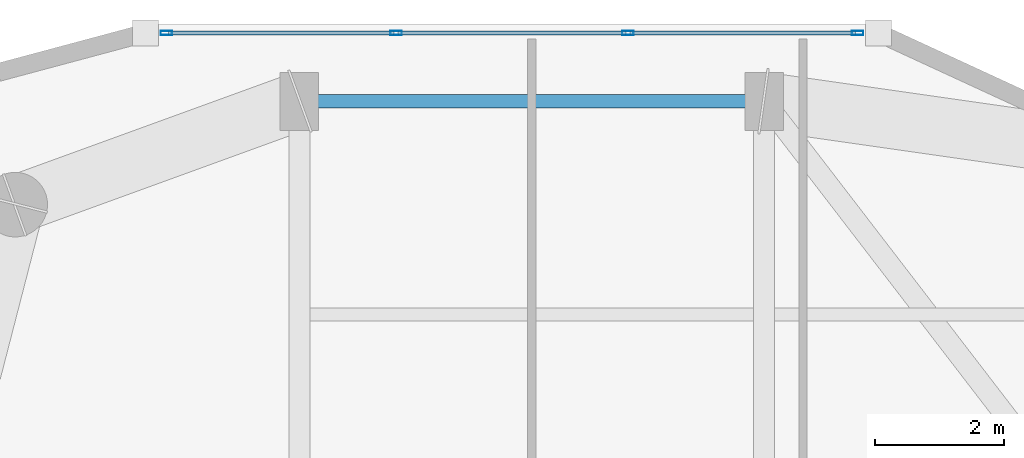
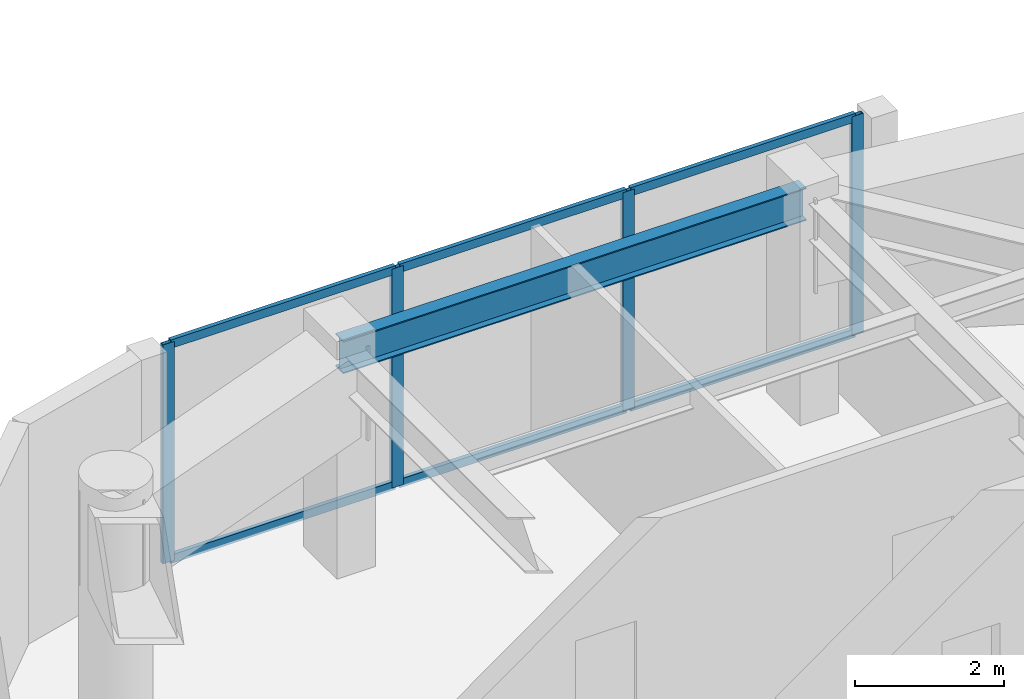
# One storey, part 6 of 15: 10 members, 1 beam, 1 element without a shape of its own.
"""IFC4 building model written with IfcOpenShell, lengths in metres."""

import ifcopenshell
import ifcopenshell.guid

model = None  # the IFC model being written
_history = None  # IfcOwnerHistory: only IFC2X3 demands one
_inside = {}  # id of a spatial element -> (the spatial element, [elements in it])
_under = {}  # id of a project, library or spatial element -> (it, [spatial elements below it])
_declared = {}  # id of a project -> (the project, [libraries it declares])
_typed = {}  # id of a type object -> (the type object, [elements of that type])
_made_of = {}  # id of a material, layer set ... -> (it, [elements and type objects made of it])


def new_model(schema):
    """Start an empty IFC model of exactly this schema.

    Asked for "IFC4X3", IfcOpenShell would pick the latest addendum, in which some entities
    have other attributes; the version numbers below select the first issue.
    IFC2X3 requires an IfcOwnerHistory on every rooted entity: one is made here for all.
    """
    global model, _history
    if schema == "IFC4X3":
        model = ifcopenshell.file(schema_version=(4, 3, 0, 0))
    else:
        model = ifcopenshell.file(schema=schema)
    _inside.clear()
    _under.clear()
    _declared.clear()
    _typed.clear()
    _made_of.clear()
    _history = None
    if model.schema == "IFC2X3":
        org = make("IfcOrganization", Name="unknown")
        user = make(
            "IfcPersonAndOrganization",
            ThePerson=make("IfcPerson", FamilyName="unknown"),
            TheOrganization=org,
        )
        app = make(
            "IfcApplication",
            ApplicationDeveloper=org,
            Version="unknown",
            ApplicationFullName="unknown",
            ApplicationIdentifier="unknown",
        )
        _history = make(
            "IfcOwnerHistory",
            OwningUser=user,
            OwningApplication=app,
            ChangeAction="ADDED",
            CreationDate=0,
        )
    return model


def make(cls, **values):
    """One entity of the class cls with the attributes given. An attribute that is None is left unset."""
    return model.create_entity(
        cls, **{name: value for name, value in values.items() if value is not None}
    )


def rooted(cls, **values):
    """An entity with a GlobalId (a new one), such as an element, a storey or a relation."""
    return make(cls, GlobalId=ifcopenshell.guid.new(), OwnerHistory=_history, **values)


def si_unit(unit_type, name, prefix=None):
    """IfcSIUnit, for example si_unit("LENGTHUNIT", "METRE", prefix="MILLI")."""
    return make("IfcSIUnit", UnitType=unit_type, Prefix=prefix, Name=name)


def assignment(units):
    """IfcUnitAssignment: the units of a project."""
    return None if units is None else make("IfcUnitAssignment", Units=units)


def point(xyz):
    """IfcCartesianPoint."""
    return None if xyz is None else make("IfcCartesianPoint", Coordinates=xyz)


def direction(xyz):
    """IfcDirection."""
    return None if xyz is None else make("IfcDirection", DirectionRatios=xyz)


def frame(location, z_axis=None, x_axis=None):
    """IfcAxis2Placement3D, a coordinate frame: its origin and axes. An axis left out is left unset."""
    return make(
        "IfcAxis2Placement3D",
        Location=point(location),
        Axis=direction(z_axis),
        RefDirection=direction(x_axis),
    )


def frame_2d(location, x_axis=None):
    """IfcAxis2Placement2D, a coordinate frame in the plane: its origin and x axis."""
    return make(
        "IfcAxis2Placement2D", Location=point(location), RefDirection=direction(x_axis)
    )


def origin():
    """The frame at (0, 0, 0) with its axes left unset."""
    return frame((0.0, 0.0, 0.0))


def origin_2d():
    """The frame at (0, 0) in the plane with its x axis left unset."""
    return frame_2d((0.0, 0.0))


def place(relative_to, where):
    """IfcLocalPlacement: puts the frame where relative to a parent placement (None: the world)."""
    return make(
        "IfcLocalPlacement", PlacementRelTo=relative_to, RelativePlacement=where
    )


def context(
    kind, dimensions, precision=None, world=None, true_north=None, identifier=None
):
    """IfcGeometricRepresentationContext, for example the 3D "Model" context."""
    return make(
        "IfcGeometricRepresentationContext",
        ContextIdentifier=identifier,
        ContextType=kind,
        CoordinateSpaceDimension=dimensions,
        Precision=precision,
        WorldCoordinateSystem=world,
        TrueNorth=true_north,
    )


def subcontext(parent, identifier, kind, view, scale=None):
    """IfcGeometricRepresentationSubContext, for example "Body" below "Model"."""
    return make(
        "IfcGeometricRepresentationSubContext",
        ContextIdentifier=identifier,
        ContextType=kind,
        ParentContext=parent,
        TargetScale=scale,
        TargetView=view,
    )


def project(units=None, contexts=None):
    """IfcProject with its units and contexts."""
    return rooted(
        "IfcProject",
        Name="project",
        RepresentationContexts=contexts,
        UnitsInContext=assignment(units),
    )


def spatial(cls, under=None, at=None, **own):
    """A site, building, storey or space (cls), placed at a placement, below another one or the project."""
    s = rooted(cls, ObjectPlacement=at, **own)
    if under is not None:
        _under.setdefault(under.id(), (under, []))[1].append(s)
    return s


def profile(cls, at=None, kind="AREA", **sizes):
    """A parametric profile (cls). Its sizes go by their IFC names, for example OverallWidth=200.0."""
    return make(cls, ProfileType=kind, Position=at, **sizes)


def hollow_rectangle(**sizes):
    """IfcRectangleHollowProfileDef."""
    return profile("IfcRectangleHollowProfileDef", **sizes)


def i_section(**sizes):
    """IfcIShapeProfileDef."""
    return profile("IfcIShapeProfileDef", **sizes)


def extrude(swept, where, along, depth):
    """IfcExtrudedAreaSolid: the profile swept, set in the frame where, extruded along a direction by depth."""
    return make(
        "IfcExtrudedAreaSolid",
        SweptArea=swept,
        Position=where,
        ExtrudedDirection=direction(along),
        Depth=depth,
    )


def shape(context_of_items, identifier, shape_type, items):
    """IfcShapeRepresentation: the items that make up one representation, for example the "Body"."""
    return make(
        "IfcShapeRepresentation",
        ContextOfItems=context_of_items,
        RepresentationIdentifier=identifier,
        RepresentationType=shape_type,
        Items=items,
    )


def material(Name=None, Category=None):
    """IfcMaterial."""
    return make("IfcMaterial", Name=Name, Category=Category)


def layer(
    of_material, thickness, ventilated=None, Name=None, Category=None, Priority=None
):
    """IfcMaterialLayer: one layer of a wall or slab, of a material (None: an air gap)."""
    return make(
        "IfcMaterialLayer",
        Material=of_material,
        LayerThickness=thickness,
        IsVentilated=ventilated,
        Name=Name,
        Category=Category,
        Priority=Priority,
    )


def layer_set(layers, Name=None):
    """IfcMaterialLayerSet."""
    return make("IfcMaterialLayerSet", MaterialLayers=layers, LayerSetName=Name)


def material_profile(
    of_material, cross_section, Name=None, Category=None, Priority=None
):
    """IfcMaterialProfile: a cross section and its material."""
    return make(
        "IfcMaterialProfile",
        Name=Name,
        Material=of_material,
        Profile=cross_section,
        Priority=Priority,
        Category=Category,
    )


def profile_set(profiles, Name=None, composite=None):
    """IfcMaterialProfileSet."""
    return make(
        "IfcMaterialProfileSet",
        Name=Name,
        MaterialProfiles=profiles,
        CompositeProfile=composite,
    )


def made_of(thing, what):
    """Note that an element or type object is made of a material, layer set ...; save() writes the relation."""
    if what is not None:
        _made_of.setdefault(what.id(), (what, []))[1].append(thing)
    return thing


def type_object(cls, material=None, **own):
    """A type object (cls), such as IfcWallType, which elements share."""
    return made_of(rooted(cls, **own), material)


def element(
    cls,
    number,
    at=None,
    inside=None,
    cuts=None,
    type_object=None,
    material=None,
    context=None,
    identifier="Body",
    shape_type=None,
    held_by="IfcProductDefinitionShape",
    body=None,
    shapes=None,
    **own,
):
    """One element of the class cls, such as IfcWall. Its Tag is "e" and its number.

    at: its placement. inside: the storey or other place that contains it. cuts: it is an
    opening in that element (IfcRelVoidsElement). A single representation is given by context,
    identifier, shape_type and body (its items); several are given by shapes. held_by: the class
    of the entity that holds the representations. save() writes the other relations.
    """
    e = rooted(cls, Tag="e%d" % number, ObjectPlacement=at, **own)
    if body is not None:
        shapes = [shape(context, identifier, shape_type, body)]
    if shapes is not None:
        e.Representation = make(held_by, Representations=shapes)
    if inside is not None:
        _inside.setdefault(inside.id(), (inside, []))[1].append(e)
    if cuts is not None:
        rooted(
            "IfcRelVoidsElement", RelatingBuildingElement=cuts, RelatedOpeningElement=e
        )
    if type_object is not None:
        _typed.setdefault(type_object.id(), (type_object, []))[1].append(e)
    return made_of(e, material)


def aggregate(whole, parts):
    """IfcRelAggregates: a whole, such as a stair, and the parts it consists of."""
    return rooted("IfcRelAggregates", RelatingObject=whole, RelatedObjects=parts)


def save(model, path):
    """Write the relations noted so far, then the file.

    IfcRelAggregates (storeys below a building ...), IfcRelContainedInSpatialStructure (elements
    in a storey), IfcRelDefinesByType, IfcRelAssociatesMaterial and IfcRelDeclares: one each for
    every whole, place, type object, material and project.
    """
    for whole, parts in _under.values():
        aggregate(whole, parts)
    for where, things in _inside.values():
        rooted(
            "IfcRelContainedInSpatialStructure",
            RelatedElements=things,
            RelatingStructure=where,
        )
    for kind, things in _typed.values():
        rooted("IfcRelDefinesByType", RelatedObjects=things, RelatingType=kind)
    for what, things in _made_of.values():
        rooted("IfcRelAssociatesMaterial", RelatedObjects=things, RelatingMaterial=what)
    for by, libraries in _declared.values():
        rooted("IfcRelDeclares", RelatingContext=by, RelatedDefinitions=libraries)
    model.write(path)


model = new_model("IFC4")

# Units and contexts
model_context = context("Model", 3, precision=1e-05, world=origin(), true_north=direction((0.0, 1.0)))
body_context = subcontext(model_context, "Body", "Model", "MODEL_VIEW")
ifc_project = project(units=[si_unit("LENGTHUNIT", "METRE"), si_unit("AREAUNIT", "SQUARE_METRE"), si_unit("VOLUMEUNIT", "CUBIC_METRE"), si_unit("PLANEANGLEUNIT", "RADIAN"), si_unit("MASSUNIT", "GRAM", prefix="KILO")], contexts=[model_context])

# Site, building, storey
site_placement = place(None, origin())
site = spatial("IfcSite", under=ifc_project, at=site_placement, CompositionType="ELEMENT")
building_placement = place(site_placement, origin())
building = spatial("IfcBuilding", under=site, at=building_placement, Name="Kiyonajd Concourse Tower", CompositionType="ELEMENT")
storey_placement = place(building_placement, frame((0.0, 0.0, 278.39990234375)))
storey = spatial("IfcBuildingStorey", under=building, at=storey_placement, Name="L70", CompositionType="ELEMENT", Elevation=278.39990234375)

# Beam
ifc_material_1 = material(Name="Steel ASTM A992 Grade 50", Category="steel")
ifc_material_profile_1 = material_profile(ifc_material_1, i_section(OverallWidth=0.2109375, OverallDepth=0.5390625, WebThickness=0.01171875, FlangeThickness=0.018798828125, at=origin_2d()), Name="W530X109")
ifc_profile_set_1 = profile_set([ifc_material_profile_1], Name="Steel ASTM A992 Grade 50")
beam_type = type_object("IfcBeamType", Name="BM-SPAN-530B", PredefinedType="SPANDREL", material=ifc_profile_set_1)
beam_placement = place(storey_placement, frame((39.60009765625, 52.199951171875, 3.33056640625), z_axis=(-1.0, 0.0, 0.0), x_axis=(0.0, -1.0, 0.0)))
element("IfcBeam", 1, at=beam_placement, inside=storey, type_object=beam_type, Name="L70 Perimeter Bundled Tube Spandrel", PredefinedType="SPANDREL", context=body_context, shape_type="SweptSolid", body=[
    extrude(i_section(OverallWidth=0.2109375, OverallDepth=0.5390625, WebThickness=0.01171875, FlangeThickness=0.018798828125, at=origin_2d()), origin(), (0.0, 0.0, 1.0), 7.2001953125),
])

# Curtain wall, members
ifc_material_2 = material(Name="Thermally Broken Anodised Aluminium", Category="aluminium")
ifc_layer = layer(ifc_material_2, 0.179931640625)
ifc_layer_set = layer_set([ifc_layer], Name="Thermally Broken Anodised Aluminium")
curtain_wall_type = type_object("IfcCurtainWallType", Name="CW-SYS-04", PredefinedType="NOTDEFINED", material=ifc_layer_set)
curtain_wall_placement = place(storey_placement, origin())
curtain_wall = element("IfcCurtainWall", 2, at=curtain_wall_placement, inside=storey, type_object=curtain_wall_type, Name="L70 Unitised Curtain Wall CW4", PredefinedType="NOTDEFINED")
ifc_material_profile_2 = material_profile(ifc_material_2, hollow_rectangle(XDim=0.06494140625, YDim=0.179931640625, WallThickness=0.00390625, at=origin_2d()), Name="MULL-65x180")
ifc_profile_set_2 = profile_set([ifc_material_profile_2], Name="Thermally Broken Anodised Aluminium")
member_type_1 = type_object("IfcMemberType", Name="MB-CW-MULL1", PredefinedType="MULLION", material=ifc_profile_set_2)
member_1_placement = place(storey_placement, frame((30.3408203125, 53.260009765625, 0.0), z_axis=(0.0, 0.0, 1.0), x_axis=(0.0, 1.0, 0.0)))
member_1 = element("IfcMember", 3, at=member_1_placement, type_object=member_type_1, Name="CW4 mullion 1", PredefinedType="MULLION", context=body_context, shape_type="SweptSolid", body=[
    extrude(hollow_rectangle(XDim=0.06494140625, YDim=0.179931640625, WallThickness=0.00390625, at=origin_2d()), origin(), (0.0, 0.0, 1.0), 3.60009765625),
])
member_2_placement = place(storey_placement, frame((33.898681640625, 53.260009765625, 0.0), z_axis=(0.0, 0.0, 1.0), x_axis=(0.0, 1.0, 0.0)))
member_2 = element("IfcMember", 4, at=member_2_placement, type_object=member_type_1, Name="CW4 mullion 2", PredefinedType="MULLION", context=body_context, shape_type="SweptSolid", body=[
    extrude(hollow_rectangle(XDim=0.06494140625, YDim=0.179931640625, WallThickness=0.00390625, at=origin_2d()), origin(), (0.0, 0.0, 1.0), 3.60009765625),
])
member_3_placement = place(storey_placement, frame((37.489013671875, 53.260009765625, 0.0), z_axis=(0.0, 0.0, 1.0), x_axis=(0.0, 1.0, 0.0)))
member_3 = element("IfcMember", 5, at=member_3_placement, type_object=member_type_1, Name="CW4 mullion 3", PredefinedType="MULLION", context=body_context, shape_type="SweptSolid", body=[
    extrude(hollow_rectangle(XDim=0.06494140625, YDim=0.179931640625, WallThickness=0.00390625, at=origin_2d()), origin(), (0.0, 0.0, 1.0), 3.60009765625),
])
member_4_placement = place(storey_placement, frame((41.046875, 53.260009765625, 0.0), z_axis=(0.0, 0.0, 1.0), x_axis=(0.0, 1.0, 0.0)))
member_4 = element("IfcMember", 6, at=member_4_placement, type_object=member_type_1, Name="CW4 mullion 4", PredefinedType="MULLION", context=body_context, shape_type="SweptSolid", body=[
    extrude(hollow_rectangle(XDim=0.06494140625, YDim=0.179931640625, WallThickness=0.00390625, at=origin_2d()), origin(), (0.0, 0.0, 1.0), 3.60009765625),
])
ifc_material_profile_3 = material_profile(ifc_material_2, hollow_rectangle(XDim=0.06494140625, YDim=0.139892578125, WallThickness=0.00390625, at=origin_2d()), Name="TRAN-65x140")
ifc_profile_set_3 = profile_set([ifc_material_profile_3], Name="Thermally Broken Anodised Aluminium")
member_type_2 = type_object("IfcMemberType", Name="MB-CW-TRAN1", PredefinedType="USERDEFINED", material=ifc_profile_set_3)
member_5_placement = place(storey_placement, frame((30.373291015625, 53.260009765625, 0.03271484375), z_axis=(1.0, 0.0, 0.0), x_axis=(0.0, 1.0, 0.0)))
member_5 = element("IfcMember", 7, at=member_5_placement, type_object=member_type_2, Name="CW4 transom 1.1", ObjectType="TRANSOM", PredefinedType="USERDEFINED", context=body_context, shape_type="SweptSolid", body=[
    extrude(hollow_rectangle(XDim=0.06494140625, YDim=0.139892578125, WallThickness=0.00390625, at=origin_2d()), origin(), (0.0, 0.0, 1.0), 3.492919921875),
])
member_6_placement = place(storey_placement, frame((30.373291015625, 53.260009765625, 3.567626953125), z_axis=(1.0, 0.0, 0.0), x_axis=(0.0, 1.0, 0.0)))
member_6 = element("IfcMember", 8, at=member_6_placement, type_object=member_type_2, Name="CW4 transom 1.2", ObjectType="TRANSOM", PredefinedType="USERDEFINED", context=body_context, shape_type="SweptSolid", body=[
    extrude(hollow_rectangle(XDim=0.06494140625, YDim=0.139892578125, WallThickness=0.00390625, at=origin_2d()), origin(), (0.0, 0.0, 1.0), 3.492919921875),
])
member_7_placement = place(storey_placement, frame((33.93115234375, 53.260009765625, 0.03271484375), z_axis=(1.0, 0.0, 0.0), x_axis=(0.0, 1.0, 0.0)))
member_7 = element("IfcMember", 9, at=member_7_placement, type_object=member_type_2, Name="CW4 transom 2.1", ObjectType="TRANSOM", PredefinedType="USERDEFINED", context=body_context, shape_type="SweptSolid", body=[
    extrude(hollow_rectangle(XDim=0.06494140625, YDim=0.139892578125, WallThickness=0.00390625, at=origin_2d()), origin(), (0.0, 0.0, 1.0), 3.525390625),
])
member_8_placement = place(storey_placement, frame((33.93115234375, 53.260009765625, 3.567626953125), z_axis=(1.0, 0.0, 0.0), x_axis=(0.0, 1.0, 0.0)))
member_8 = element("IfcMember", 10, at=member_8_placement, type_object=member_type_2, Name="CW4 transom 2.2", ObjectType="TRANSOM", PredefinedType="USERDEFINED", context=body_context, shape_type="SweptSolid", body=[
    extrude(hollow_rectangle(XDim=0.06494140625, YDim=0.139892578125, WallThickness=0.00390625, at=origin_2d()), origin(), (0.0, 0.0, 1.0), 3.525390625),
])
member_9_placement = place(storey_placement, frame((37.521484375, 53.260009765625, 0.03271484375), z_axis=(1.0, 0.0, 0.0), x_axis=(0.0, 1.0, 0.0)))
member_9 = element("IfcMember", 11, at=member_9_placement, type_object=member_type_2, Name="CW4 transom 3.1", ObjectType="TRANSOM", PredefinedType="USERDEFINED", context=body_context, shape_type="SweptSolid", body=[
    extrude(hollow_rectangle(XDim=0.06494140625, YDim=0.139892578125, WallThickness=0.00390625, at=origin_2d()), origin(), (0.0, 0.0, 1.0), 3.492919921875),
])
member_10_placement = place(storey_placement, frame((37.521484375, 53.260009765625, 3.567626953125), z_axis=(1.0, 0.0, 0.0), x_axis=(0.0, 1.0, 0.0)))
member_10 = element("IfcMember", 12, at=member_10_placement, type_object=member_type_2, Name="CW4 transom 3.2", ObjectType="TRANSOM", PredefinedType="USERDEFINED", context=body_context, shape_type="SweptSolid", body=[
    extrude(hollow_rectangle(XDim=0.06494140625, YDim=0.139892578125, WallThickness=0.00390625, at=origin_2d()), origin(), (0.0, 0.0, 1.0), 3.492919921875),
])
aggregate(curtain_wall, [member_1, member_2, member_3, member_4, member_5, member_6, member_7, member_8, member_9, member_10])

save(model, "model.ifc")
